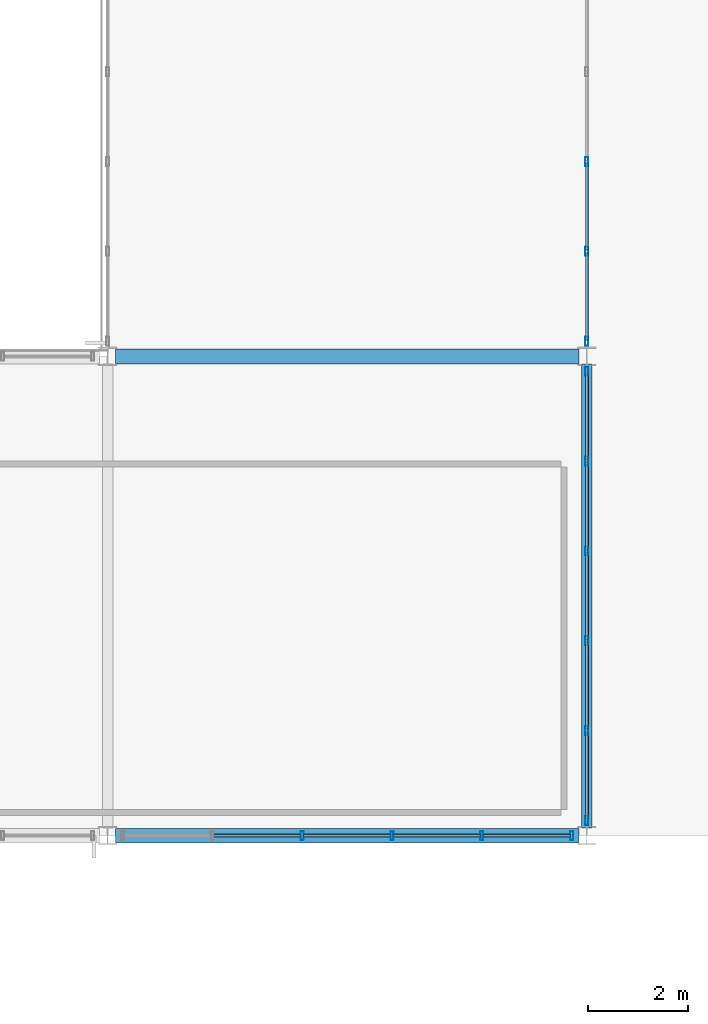
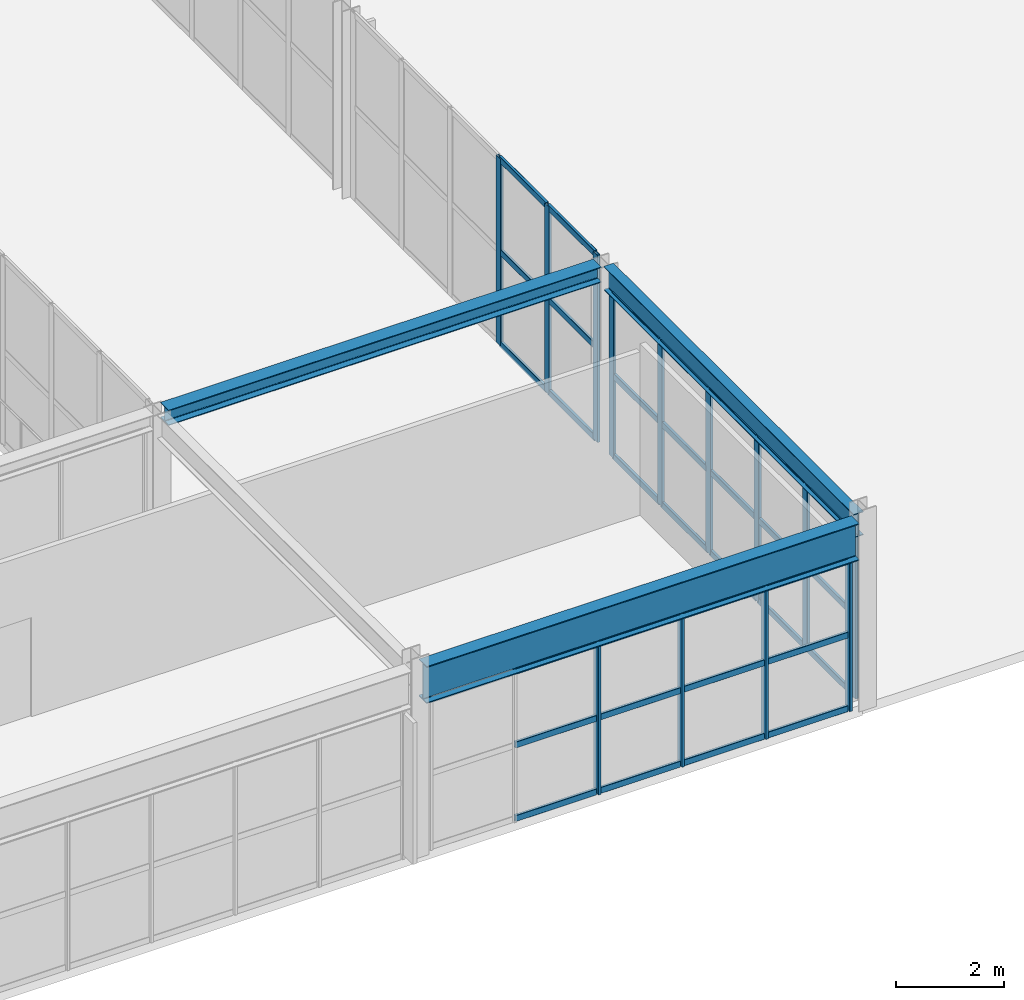
# One storey, part 126 of 170: 46 members, 3 beams, 3 elements without a shape of their own.
"""IFC4 building model written with IfcOpenShell, lengths in metres."""

import ifcopenshell
import ifcopenshell.guid

model = None  # the IFC model being written
_history = None  # IfcOwnerHistory: only IFC2X3 demands one
_inside = {}  # id of a spatial element -> (the spatial element, [elements in it])
_under = {}  # id of a project, library or spatial element -> (it, [spatial elements below it])
_declared = {}  # id of a project -> (the project, [libraries it declares])
_typed = {}  # id of a type object -> (the type object, [elements of that type])
_made_of = {}  # id of a material, layer set ... -> (it, [elements and type objects made of it])


def new_model(schema):
    """Start an empty IFC model of exactly this schema.

    Asked for "IFC4X3", IfcOpenShell would pick the latest addendum, in which some entities
    have other attributes; the version numbers below select the first issue.
    IFC2X3 requires an IfcOwnerHistory on every rooted entity: one is made here for all.
    """
    global model, _history
    if schema == "IFC4X3":
        model = ifcopenshell.file(schema_version=(4, 3, 0, 0))
    else:
        model = ifcopenshell.file(schema=schema)
    _inside.clear()
    _under.clear()
    _declared.clear()
    _typed.clear()
    _made_of.clear()
    _history = None
    if model.schema == "IFC2X3":
        org = make("IfcOrganization", Name="unknown")
        user = make(
            "IfcPersonAndOrganization",
            ThePerson=make("IfcPerson", FamilyName="unknown"),
            TheOrganization=org,
        )
        app = make(
            "IfcApplication",
            ApplicationDeveloper=org,
            Version="unknown",
            ApplicationFullName="unknown",
            ApplicationIdentifier="unknown",
        )
        _history = make(
            "IfcOwnerHistory",
            OwningUser=user,
            OwningApplication=app,
            ChangeAction="ADDED",
            CreationDate=0,
        )
    return model


def make(cls, **values):
    """One entity of the class cls with the attributes given. An attribute that is None is left unset."""
    return model.create_entity(
        cls, **{name: value for name, value in values.items() if value is not None}
    )


def rooted(cls, **values):
    """An entity with a GlobalId (a new one), such as an element, a storey or a relation."""
    return make(cls, GlobalId=ifcopenshell.guid.new(), OwnerHistory=_history, **values)


def si_unit(unit_type, name, prefix=None):
    """IfcSIUnit, for example si_unit("LENGTHUNIT", "METRE", prefix="MILLI")."""
    return make("IfcSIUnit", UnitType=unit_type, Prefix=prefix, Name=name)


def assignment(units):
    """IfcUnitAssignment: the units of a project."""
    return None if units is None else make("IfcUnitAssignment", Units=units)


def point(xyz):
    """IfcCartesianPoint."""
    return None if xyz is None else make("IfcCartesianPoint", Coordinates=xyz)


def direction(xyz):
    """IfcDirection."""
    return None if xyz is None else make("IfcDirection", DirectionRatios=xyz)


def frame(location, z_axis=None, x_axis=None):
    """IfcAxis2Placement3D, a coordinate frame: its origin and axes. An axis left out is left unset."""
    return make(
        "IfcAxis2Placement3D",
        Location=point(location),
        Axis=direction(z_axis),
        RefDirection=direction(x_axis),
    )


def frame_2d(location, x_axis=None):
    """IfcAxis2Placement2D, a coordinate frame in the plane: its origin and x axis."""
    return make(
        "IfcAxis2Placement2D", Location=point(location), RefDirection=direction(x_axis)
    )


def origin():
    """The frame at (0, 0, 0) with its axes left unset."""
    return frame((0.0, 0.0, 0.0))


def origin_2d():
    """The frame at (0, 0) in the plane with its x axis left unset."""
    return frame_2d((0.0, 0.0))


def place(relative_to, where):
    """IfcLocalPlacement: puts the frame where relative to a parent placement (None: the world)."""
    return make(
        "IfcLocalPlacement", PlacementRelTo=relative_to, RelativePlacement=where
    )


def context(
    kind, dimensions, precision=None, world=None, true_north=None, identifier=None
):
    """IfcGeometricRepresentationContext, for example the 3D "Model" context."""
    return make(
        "IfcGeometricRepresentationContext",
        ContextIdentifier=identifier,
        ContextType=kind,
        CoordinateSpaceDimension=dimensions,
        Precision=precision,
        WorldCoordinateSystem=world,
        TrueNorth=true_north,
    )


def subcontext(parent, identifier, kind, view, scale=None):
    """IfcGeometricRepresentationSubContext, for example "Body" below "Model"."""
    return make(
        "IfcGeometricRepresentationSubContext",
        ContextIdentifier=identifier,
        ContextType=kind,
        ParentContext=parent,
        TargetScale=scale,
        TargetView=view,
    )


def project(units=None, contexts=None):
    """IfcProject with its units and contexts."""
    return rooted(
        "IfcProject",
        Name="project",
        RepresentationContexts=contexts,
        UnitsInContext=assignment(units),
    )


def spatial(cls, under=None, at=None, **own):
    """A site, building, storey or space (cls), placed at a placement, below another one or the project."""
    s = rooted(cls, ObjectPlacement=at, **own)
    if under is not None:
        _under.setdefault(under.id(), (under, []))[1].append(s)
    return s


def profile(cls, at=None, kind="AREA", **sizes):
    """A parametric profile (cls). Its sizes go by their IFC names, for example OverallWidth=200.0."""
    return make(cls, ProfileType=kind, Position=at, **sizes)


def hollow_rectangle(**sizes):
    """IfcRectangleHollowProfileDef."""
    return profile("IfcRectangleHollowProfileDef", **sizes)


def i_section(**sizes):
    """IfcIShapeProfileDef."""
    return profile("IfcIShapeProfileDef", **sizes)


def extrude(swept, where, along, depth):
    """IfcExtrudedAreaSolid: the profile swept, set in the frame where, extruded along a direction by depth."""
    return make(
        "IfcExtrudedAreaSolid",
        SweptArea=swept,
        Position=where,
        ExtrudedDirection=direction(along),
        Depth=depth,
    )


def shape(context_of_items, identifier, shape_type, items):
    """IfcShapeRepresentation: the items that make up one representation, for example the "Body"."""
    return make(
        "IfcShapeRepresentation",
        ContextOfItems=context_of_items,
        RepresentationIdentifier=identifier,
        RepresentationType=shape_type,
        Items=items,
    )


def material(Name=None, Category=None):
    """IfcMaterial."""
    return make("IfcMaterial", Name=Name, Category=Category)


def material_profile(
    of_material, cross_section, Name=None, Category=None, Priority=None
):
    """IfcMaterialProfile: a cross section and its material."""
    return make(
        "IfcMaterialProfile",
        Name=Name,
        Material=of_material,
        Profile=cross_section,
        Priority=Priority,
        Category=Category,
    )


def profile_set(profiles, Name=None, composite=None):
    """IfcMaterialProfileSet."""
    return make(
        "IfcMaterialProfileSet",
        Name=Name,
        MaterialProfiles=profiles,
        CompositeProfile=composite,
    )


def made_of(thing, what):
    """Note that an element or type object is made of a material, layer set ...; save() writes the relation."""
    if what is not None:
        _made_of.setdefault(what.id(), (what, []))[1].append(thing)
    return thing


def type_object(cls, material=None, **own):
    """A type object (cls), such as IfcWallType, which elements share."""
    return made_of(rooted(cls, **own), material)


def element(
    cls,
    number,
    at=None,
    inside=None,
    cuts=None,
    type_object=None,
    material=None,
    context=None,
    identifier="Body",
    shape_type=None,
    held_by="IfcProductDefinitionShape",
    body=None,
    shapes=None,
    **own,
):
    """One element of the class cls, such as IfcWall. Its Tag is "e" and its number.

    at: its placement. inside: the storey or other place that contains it. cuts: it is an
    opening in that element (IfcRelVoidsElement). A single representation is given by context,
    identifier, shape_type and body (its items); several are given by shapes. held_by: the class
    of the entity that holds the representations. save() writes the other relations.
    """
    e = rooted(cls, Tag="e%d" % number, ObjectPlacement=at, **own)
    if body is not None:
        shapes = [shape(context, identifier, shape_type, body)]
    if shapes is not None:
        e.Representation = make(held_by, Representations=shapes)
    if inside is not None:
        _inside.setdefault(inside.id(), (inside, []))[1].append(e)
    if cuts is not None:
        rooted(
            "IfcRelVoidsElement", RelatingBuildingElement=cuts, RelatedOpeningElement=e
        )
    if type_object is not None:
        _typed.setdefault(type_object.id(), (type_object, []))[1].append(e)
    return made_of(e, material)


def aggregate(whole, parts):
    """IfcRelAggregates: a whole, such as a stair, and the parts it consists of."""
    return rooted("IfcRelAggregates", RelatingObject=whole, RelatedObjects=parts)


def save(model, path):
    """Write the relations noted so far, then the file.

    IfcRelAggregates (storeys below a building ...), IfcRelContainedInSpatialStructure (elements
    in a storey), IfcRelDefinesByType, IfcRelAssociatesMaterial and IfcRelDeclares: one each for
    every whole, place, type object, material and project.
    """
    for whole, parts in _under.values():
        aggregate(whole, parts)
    for where, things in _inside.values():
        rooted(
            "IfcRelContainedInSpatialStructure",
            RelatedElements=things,
            RelatingStructure=where,
        )
    for kind, things in _typed.values():
        rooted("IfcRelDefinesByType", RelatedObjects=things, RelatingType=kind)
    for what, things in _made_of.values():
        rooted("IfcRelAssociatesMaterial", RelatedObjects=things, RelatingMaterial=what)
    for by, libraries in _declared.values():
        rooted("IfcRelDeclares", RelatingContext=by, RelatedDefinitions=libraries)
    model.write(path)


model = new_model("IFC4")

# Units and contexts
model_context = context("Model", 3, precision=1e-05, world=origin(), true_north=direction((0.0, 1.0)))
body_context = subcontext(model_context, "Body", "Model", "MODEL_VIEW")
ifc_project = project(units=[si_unit("LENGTHUNIT", "METRE"), si_unit("AREAUNIT", "SQUARE_METRE"), si_unit("VOLUMEUNIT", "CUBIC_METRE"), si_unit("PLANEANGLEUNIT", "RADIAN"), si_unit("MASSUNIT", "GRAM", prefix="KILO")], contexts=[model_context])

# Site, building, storey
site_placement = place(None, origin())
site = spatial("IfcSite", under=ifc_project, at=site_placement, CompositionType="ELEMENT")
building_placement = place(site_placement, origin())
building = spatial("IfcBuilding", under=site, at=building_placement, Name="Coralgate Yard Interchange", CompositionType="ELEMENT")
storey_placement = place(building_placement, frame((0.0, 0.0, 6.0)))
storey = spatial("IfcBuildingStorey", under=building, at=storey_placement, Name="L01", CompositionType="ELEMENT", Elevation=6.0)

# Beams
ifc_material_1 = material(Name="Structural steel S355J2", Category="steel")
ifc_material_profile_1 = material_profile(ifc_material_1, i_section(OverallWidth=0.209228515625, OverallDepth=0.533203125, WebThickness=0.010009765625, FlangeThickness=0.015625, FilletRadius=0.0126953125, at=origin_2d()), Name="UB 533x210x92")
ifc_profile_set_1 = profile_set([ifc_material_profile_1], Name="Structural steel S355J2")
beam_type_1 = type_object("IfcBeamType", Name="BM-SB-1", PredefinedType="BEAM", material=ifc_profile_set_1)
beam_1_placement = place(storey_placement, frame((134.39990234375, 38.55419921875, 3.9833984375), z_axis=(0.0, 1.0, 0.0), x_axis=(-1.0, 0.0, 0.0)))
element("IfcBeam", 1, at=beam_1_placement, inside=storey, type_object=beam_type_1, Name="L01 primary grid girder X14 Y4-5", PredefinedType="BEAM", context=body_context, shape_type="SweptSolid", body=[
    extrude(i_section(OverallWidth=0.209228515625, OverallDepth=0.533203125, WebThickness=0.010009765625, FlangeThickness=0.015625, FilletRadius=0.0126953125, at=origin_2d()), origin(), (0.0, 0.0, 1.0), 9.291748046875),
])
ifc_material_profile_2 = material_profile(ifc_material_1, i_section(OverallWidth=0.29248046875, OverallDepth=0.8408203125, WebThickness=0.0146484375, FlangeThickness=0.021728515625, FilletRadius=0.017822265625, at=origin_2d()), Name="UB 838x292x194")
ifc_profile_set_2 = profile_set([ifc_material_profile_2], Name="Structural steel S355J2")
beam_type_2 = type_object("IfcBeamType", Name="BM-SG-2", PredefinedType="BEAM", material=ifc_profile_set_2)
beam_2_placement = place(storey_placement, frame((124.956298828125, 38.39990234375, 3.82958984375), z_axis=(1.0, 0.0, 0.0), x_axis=(0.0, 1.0, 0.0)))
element("IfcBeam", 2, at=beam_2_placement, inside=storey, type_object=beam_type_2, Name="L01 primary grid beam Y4 X13-14", PredefinedType="BEAM", context=body_context, shape_type="SweptSolid", body=[
    extrude(i_section(OverallWidth=0.29248046875, OverallDepth=0.8408203125, WebThickness=0.0146484375, FlangeThickness=0.021728515625, FilletRadius=0.017822265625, at=origin_2d()), origin(), (0.0, 0.0, 1.0), 9.287353515625),
])
ifc_material_profile_3 = material_profile(ifc_material_1, i_section(OverallWidth=0.300048828125, OverallDepth=0.35009765625, WebThickness=0.010009765625, FlangeThickness=0.017578125, FilletRadius=0.027099609375, at=origin_2d()), Name="HEA 360")
ifc_profile_set_3 = profile_set([ifc_material_profile_3], Name="Structural steel S355J2")
beam_type_3 = type_object("IfcBeamType", Name="BM-SP-1", PredefinedType="SPANDREL", material=ifc_profile_set_3)
beam_3_placement = place(storey_placement, frame((124.956298828125, 48.0, 4.074951171875), z_axis=(1.0, 0.0, 0.0), x_axis=(0.0, 1.0, 0.0)))
element("IfcBeam", 3, at=beam_3_placement, inside=storey, type_object=beam_type_3, Name="L01 primary grid beam Y5 X13-14", PredefinedType="SPANDREL", context=body_context, shape_type="SweptSolid", body=[
    extrude(i_section(OverallWidth=0.300048828125, OverallDepth=0.35009765625, WebThickness=0.010009765625, FlangeThickness=0.017578125, FilletRadius=0.027099609375, at=origin_2d()), origin(), (0.0, 0.0, 1.0), 9.287353515625),
])

# Curtain wall, members
ifc_material_2 = material(Name="Anodised coastal aluminium and solar-control low-E glass", Category="aluminium")
curtain_wall_type_1 = type_object("IfcCurtainWallType", Name="CW-CW-L01-A", PredefinedType="NOTDEFINED", material=ifc_material_2)
curtain_wall_1_placement = place(storey_placement, origin())
curtain_wall_1 = element("IfcCurtainWall", 4, at=curtain_wall_1_placement, inside=storey, type_object=curtain_wall_type_1, Name="L01 unitised curtain wall CW-L01-S-13-04", PredefinedType="NOTDEFINED")
ifc_material_3 = material(Name="Anodised coastal aluminium 6063-T6", Category="aluminium")
ifc_material_profile_4 = material_profile(ifc_material_3, hollow_rectangle(XDim=0.06005859375, YDim=0.179931640625, WallThickness=0.00390625, InnerFilletRadius=0.00390625, OuterFilletRadius=0.008056640625, at=origin_2d()), Name="ALU 60x180x4")
ifc_profile_set_4 = profile_set([ifc_material_profile_4], Name="Anodised coastal aluminium 6063-T6")
member_type_1 = type_object("IfcMemberType", Name="MB-MUL-180", PredefinedType="MULLION", material=ifc_profile_set_4)
member_1_placement = place(storey_placement, frame((134.10009765625, 38.39990234375, 0.0), z_axis=(0.0, 0.0, 1.0), x_axis=(1.0, 0.0, 0.0)))
member_1 = element("IfcMember", 5, at=member_1_placement, type_object=member_type_1, Name="CW-L01-S-13-04 vertical mullion 1", PredefinedType="MULLION", context=body_context, shape_type="SweptSolid", body=[
    extrude(hollow_rectangle(XDim=0.06005859375, YDim=0.179931640625, WallThickness=0.00390625, InnerFilletRadius=0.00390625, OuterFilletRadius=0.008056640625, at=origin_2d()), origin(), (0.0, 0.0, 1.0), 3.4091796875),
])
member_2_placement = place(storey_placement, frame((132.300048828125, 38.39990234375, 0.0), z_axis=(0.0, 0.0, 1.0), x_axis=(1.0, 0.0, 0.0)))
member_2 = element("IfcMember", 6, at=member_2_placement, type_object=member_type_1, Name="CW-L01-S-13-04 vertical mullion 2", PredefinedType="MULLION", context=body_context, shape_type="SweptSolid", body=[
    extrude(hollow_rectangle(XDim=0.06005859375, YDim=0.179931640625, WallThickness=0.00390625, InnerFilletRadius=0.00390625, OuterFilletRadius=0.008056640625, at=origin_2d()), origin(), (0.0, 0.0, 1.0), 3.4091796875),
])
member_3_placement = place(storey_placement, frame((130.5, 38.39990234375, 0.0), z_axis=(0.0, 0.0, 1.0), x_axis=(1.0, 0.0, 0.0)))
member_3 = element("IfcMember", 7, at=member_3_placement, type_object=member_type_1, Name="CW-L01-S-13-04 vertical mullion 3", PredefinedType="MULLION", context=body_context, shape_type="SweptSolid", body=[
    extrude(hollow_rectangle(XDim=0.06005859375, YDim=0.179931640625, WallThickness=0.00390625, InnerFilletRadius=0.00390625, OuterFilletRadius=0.008056640625, at=origin_2d()), origin(), (0.0, 0.0, 1.0), 3.4091796875),
])
member_4_placement = place(storey_placement, frame((128.699951171875, 38.39990234375, 0.0), z_axis=(0.0, 0.0, 1.0), x_axis=(1.0, 0.0, 0.0)))
member_4 = element("IfcMember", 8, at=member_4_placement, type_object=member_type_1, Name="CW-L01-S-13-04 vertical mullion 4", PredefinedType="MULLION", context=body_context, shape_type="SweptSolid", body=[
    extrude(hollow_rectangle(XDim=0.06005859375, YDim=0.179931640625, WallThickness=0.00390625, InnerFilletRadius=0.00390625, OuterFilletRadius=0.008056640625, at=origin_2d()), origin(), (0.0, 0.0, 1.0), 3.4091796875),
])

curtain_wall_type_2 = type_object("IfcCurtainWallType", Name="CW-CW-L01-B", PredefinedType="NOTDEFINED", material=ifc_material_2)
curtain_wall_2_placement = place(storey_placement, origin())
curtain_wall_2 = element("IfcCurtainWall", 9, at=curtain_wall_2_placement, inside=storey, type_object=curtain_wall_type_2, Name="L01 unitised curtain wall CW-L01-E-13-04", PredefinedType="NOTDEFINED")
member_5_placement = place(storey_placement, frame((134.39990234375, 47.699951171875, 0.0), z_axis=(0.0, 0.0, 1.0), x_axis=(1.0, 0.0, 0.0)))
member_5 = element("IfcMember", 10, at=member_5_placement, type_object=member_type_1, Name="CW-L01-E-13-04 vertical mullion 1", PredefinedType="MULLION", context=body_context, shape_type="SweptSolid", body=[
    extrude(hollow_rectangle(XDim=0.06005859375, YDim=0.179931640625, WallThickness=0.00390625, InnerFilletRadius=0.00390625, OuterFilletRadius=0.008056640625, at=origin_2d()), origin(), (0.0, 0.0, 1.0), 3.716796875),
])
member_6_placement = place(storey_placement, frame((134.39990234375, 45.89990234375, 0.0), z_axis=(0.0, 0.0, 1.0), x_axis=(1.0, 0.0, 0.0)))
member_6 = element("IfcMember", 11, at=member_6_placement, type_object=member_type_1, Name="CW-L01-E-13-04 vertical mullion 2", PredefinedType="MULLION", context=body_context, shape_type="SweptSolid", body=[
    extrude(hollow_rectangle(XDim=0.06005859375, YDim=0.179931640625, WallThickness=0.00390625, InnerFilletRadius=0.00390625, OuterFilletRadius=0.008056640625, at=origin_2d()), origin(), (0.0, 0.0, 1.0), 3.716796875),
])
member_7_placement = place(storey_placement, frame((134.39990234375, 44.10009765625, 0.0), z_axis=(0.0, 0.0, 1.0), x_axis=(1.0, 0.0, 0.0)))
member_7 = element("IfcMember", 12, at=member_7_placement, type_object=member_type_1, Name="CW-L01-E-13-04 vertical mullion 3", PredefinedType="MULLION", context=body_context, shape_type="SweptSolid", body=[
    extrude(hollow_rectangle(XDim=0.06005859375, YDim=0.179931640625, WallThickness=0.00390625, InnerFilletRadius=0.00390625, OuterFilletRadius=0.008056640625, at=origin_2d()), origin(), (0.0, 0.0, 1.0), 3.716796875),
])
member_8_placement = place(storey_placement, frame((134.39990234375, 42.300048828125, 0.0), z_axis=(0.0, 0.0, 1.0), x_axis=(1.0, 0.0, 0.0)))
member_8 = element("IfcMember", 13, at=member_8_placement, type_object=member_type_1, Name="CW-L01-E-13-04 vertical mullion 4", PredefinedType="MULLION", context=body_context, shape_type="SweptSolid", body=[
    extrude(hollow_rectangle(XDim=0.06005859375, YDim=0.179931640625, WallThickness=0.00390625, InnerFilletRadius=0.00390625, OuterFilletRadius=0.008056640625, at=origin_2d()), origin(), (0.0, 0.0, 1.0), 3.716796875),
])
member_9_placement = place(storey_placement, frame((134.39990234375, 40.5, 0.0), z_axis=(0.0, 0.0, 1.0), x_axis=(1.0, 0.0, 0.0)))
member_9 = element("IfcMember", 14, at=member_9_placement, type_object=member_type_1, Name="CW-L01-E-13-04 vertical mullion 5", PredefinedType="MULLION", context=body_context, shape_type="SweptSolid", body=[
    extrude(hollow_rectangle(XDim=0.06005859375, YDim=0.179931640625, WallThickness=0.00390625, InnerFilletRadius=0.00390625, OuterFilletRadius=0.008056640625, at=origin_2d()), origin(), (0.0, 0.0, 1.0), 3.716796875),
])
member_10_placement = place(storey_placement, frame((134.39990234375, 38.699951171875, 0.0), z_axis=(0.0, 0.0, 1.0), x_axis=(1.0, 0.0, 0.0)))
member_10 = element("IfcMember", 15, at=member_10_placement, type_object=member_type_1, Name="CW-L01-E-13-04 vertical mullion 6", PredefinedType="MULLION", context=body_context, shape_type="SweptSolid", body=[
    extrude(hollow_rectangle(XDim=0.06005859375, YDim=0.179931640625, WallThickness=0.00390625, InnerFilletRadius=0.00390625, OuterFilletRadius=0.008056640625, at=origin_2d()), origin(), (0.0, 0.0, 1.0), 3.716796875),
])

curtain_wall_3_placement = place(storey_placement, origin())
curtain_wall_3 = element("IfcCurtainWall", 16, at=curtain_wall_3_placement, inside=storey, type_object=curtain_wall_type_2, Name="L01 unitised curtain wall CW-L01-E-13-05", PredefinedType="NOTDEFINED")
member_11_placement = place(storey_placement, frame((134.39990234375, 51.89990234375, 0.0), z_axis=(0.0, 0.0, 1.0), x_axis=(1.0, 0.0, 0.0)))
member_11 = element("IfcMember", 17, at=member_11_placement, type_object=member_type_1, Name="CW-L01-E-13-05 vertical mullion 4", PredefinedType="MULLION", context=body_context, shape_type="SweptSolid", body=[
    extrude(hollow_rectangle(XDim=0.06005859375, YDim=0.179931640625, WallThickness=0.00390625, InnerFilletRadius=0.00390625, OuterFilletRadius=0.008056640625, at=origin_2d()), origin(), (0.0, 0.0, 1.0), 4.25),
])
member_12_placement = place(storey_placement, frame((134.39990234375, 50.10009765625, 0.0), z_axis=(0.0, 0.0, 1.0), x_axis=(1.0, 0.0, 0.0)))
member_12 = element("IfcMember", 18, at=member_12_placement, type_object=member_type_1, Name="CW-L01-E-13-05 vertical mullion 5", PredefinedType="MULLION", context=body_context, shape_type="SweptSolid", body=[
    extrude(hollow_rectangle(XDim=0.06005859375, YDim=0.179931640625, WallThickness=0.00390625, InnerFilletRadius=0.00390625, OuterFilletRadius=0.008056640625, at=origin_2d()), origin(), (0.0, 0.0, 1.0), 4.25),
])
member_13_placement = place(storey_placement, frame((134.39990234375, 48.300048828125, 0.0), z_axis=(0.0, 0.0, 1.0), x_axis=(1.0, 0.0, 0.0)))
member_13 = element("IfcMember", 19, at=member_13_placement, type_object=member_type_1, Name="CW-L01-E-13-05 vertical mullion 6", PredefinedType="MULLION", context=body_context, shape_type="SweptSolid", body=[
    extrude(hollow_rectangle(XDim=0.06005859375, YDim=0.179931640625, WallThickness=0.00390625, InnerFilletRadius=0.00390625, OuterFilletRadius=0.008056640625, at=origin_2d()), origin(), (0.0, 0.0, 1.0), 4.25),
])

# Member
ifc_material_profile_5 = material_profile(ifc_material_3, hollow_rectangle(XDim=0.06005859375, YDim=0.139892578125, WallThickness=0.00341796875, InnerFilletRadius=0.00341796875, OuterFilletRadius=0.007080078125, at=origin_2d()), Name="ALU 60x140x3.5")
ifc_profile_set_5 = profile_set([ifc_material_profile_5], Name="Anodised coastal aluminium 6063-T6")
member_type_2 = type_object("IfcMemberType", Name="MB-TRN-140", PredefinedType="USERDEFINED", material=ifc_profile_set_5)
member_14_placement = place(storey_placement, frame((134.070068359375, 38.39990234375, 0.034912109375), z_axis=(-1.0, 0.0, 0.0), x_axis=(0.0, -1.0, 0.0)))
member_14 = element("IfcMember", 20, at=member_14_placement, type_object=member_type_2, Name="CW-L01-S-13-04 horizontal transom 1-1", ObjectType="TRANSOM", PredefinedType="USERDEFINED", context=body_context, shape_type="SweptSolid", body=[
    extrude(hollow_rectangle(XDim=0.06005859375, YDim=0.139892578125, WallThickness=0.00341796875, InnerFilletRadius=0.00341796875, OuterFilletRadius=0.007080078125, at=origin_2d()), origin(), (0.0, 0.0, 1.0), 1.739990234375),
])

member_15_placement = place(storey_placement, frame((134.070068359375, 38.39990234375, 1.70458984375), z_axis=(-1.0, 0.0, 0.0), x_axis=(0.0, -1.0, 0.0)))
member_15 = element("IfcMember", 21, at=member_15_placement, type_object=member_type_2, Name="CW-L01-S-13-04 horizontal transom 1-2", ObjectType="TRANSOM", PredefinedType="USERDEFINED", context=body_context, shape_type="SweptSolid", body=[
    extrude(hollow_rectangle(XDim=0.06005859375, YDim=0.139892578125, WallThickness=0.00341796875, InnerFilletRadius=0.00341796875, OuterFilletRadius=0.007080078125, at=origin_2d()), origin(), (0.0, 0.0, 1.0), 1.739990234375),
])

member_16_placement = place(storey_placement, frame((134.070068359375, 38.39990234375, 3.374267578125), z_axis=(-1.0, 0.0, 0.0), x_axis=(0.0, -1.0, 0.0)))
member_16 = element("IfcMember", 22, at=member_16_placement, type_object=member_type_2, Name="CW-L01-S-13-04 horizontal transom 1-3", ObjectType="TRANSOM", PredefinedType="USERDEFINED", context=body_context, shape_type="SweptSolid", body=[
    extrude(hollow_rectangle(XDim=0.06005859375, YDim=0.139892578125, WallThickness=0.00341796875, InnerFilletRadius=0.00341796875, OuterFilletRadius=0.007080078125, at=origin_2d()), origin(), (0.0, 0.0, 1.0), 1.739990234375),
])

member_17_placement = place(storey_placement, frame((132.27001953125, 38.39990234375, 0.034912109375), z_axis=(-1.0, 0.0, 0.0), x_axis=(0.0, -1.0, 0.0)))
member_17 = element("IfcMember", 23, at=member_17_placement, type_object=member_type_2, Name="CW-L01-S-13-04 horizontal transom 2-1", ObjectType="TRANSOM", PredefinedType="USERDEFINED", context=body_context, shape_type="SweptSolid", body=[
    extrude(hollow_rectangle(XDim=0.06005859375, YDim=0.139892578125, WallThickness=0.00341796875, InnerFilletRadius=0.00341796875, OuterFilletRadius=0.007080078125, at=origin_2d()), origin(), (0.0, 0.0, 1.0), 1.739990234375),
])

member_18_placement = place(storey_placement, frame((132.27001953125, 38.39990234375, 1.70458984375), z_axis=(-1.0, 0.0, 0.0), x_axis=(0.0, -1.0, 0.0)))
member_18 = element("IfcMember", 24, at=member_18_placement, type_object=member_type_2, Name="CW-L01-S-13-04 horizontal transom 2-2", ObjectType="TRANSOM", PredefinedType="USERDEFINED", context=body_context, shape_type="SweptSolid", body=[
    extrude(hollow_rectangle(XDim=0.06005859375, YDim=0.139892578125, WallThickness=0.00341796875, InnerFilletRadius=0.00341796875, OuterFilletRadius=0.007080078125, at=origin_2d()), origin(), (0.0, 0.0, 1.0), 1.739990234375),
])

member_19_placement = place(storey_placement, frame((132.27001953125, 38.39990234375, 3.374267578125), z_axis=(-1.0, 0.0, 0.0), x_axis=(0.0, -1.0, 0.0)))
member_19 = element("IfcMember", 25, at=member_19_placement, type_object=member_type_2, Name="CW-L01-S-13-04 horizontal transom 2-3", ObjectType="TRANSOM", PredefinedType="USERDEFINED", context=body_context, shape_type="SweptSolid", body=[
    extrude(hollow_rectangle(XDim=0.06005859375, YDim=0.139892578125, WallThickness=0.00341796875, InnerFilletRadius=0.00341796875, OuterFilletRadius=0.007080078125, at=origin_2d()), origin(), (0.0, 0.0, 1.0), 1.739990234375),
])

member_20_placement = place(storey_placement, frame((130.469970703125, 38.39990234375, 0.034912109375), z_axis=(-1.0, 0.0, 0.0), x_axis=(0.0, -1.0, 0.0)))
member_20 = element("IfcMember", 26, at=member_20_placement, type_object=member_type_2, Name="CW-L01-S-13-04 horizontal transom 3-1", ObjectType="TRANSOM", PredefinedType="USERDEFINED", context=body_context, shape_type="SweptSolid", body=[
    extrude(hollow_rectangle(XDim=0.06005859375, YDim=0.139892578125, WallThickness=0.00341796875, InnerFilletRadius=0.00341796875, OuterFilletRadius=0.007080078125, at=origin_2d()), origin(), (0.0, 0.0, 1.0), 1.739990234375),
])

member_21_placement = place(storey_placement, frame((130.469970703125, 38.39990234375, 1.70458984375), z_axis=(-1.0, 0.0, 0.0), x_axis=(0.0, -1.0, 0.0)))
member_21 = element("IfcMember", 27, at=member_21_placement, type_object=member_type_2, Name="CW-L01-S-13-04 horizontal transom 3-2", ObjectType="TRANSOM", PredefinedType="USERDEFINED", context=body_context, shape_type="SweptSolid", body=[
    extrude(hollow_rectangle(XDim=0.06005859375, YDim=0.139892578125, WallThickness=0.00341796875, InnerFilletRadius=0.00341796875, OuterFilletRadius=0.007080078125, at=origin_2d()), origin(), (0.0, 0.0, 1.0), 1.739990234375),
])

member_22_placement = place(storey_placement, frame((130.469970703125, 38.39990234375, 3.374267578125), z_axis=(-1.0, 0.0, 0.0), x_axis=(0.0, -1.0, 0.0)))
member_22 = element("IfcMember", 28, at=member_22_placement, type_object=member_type_2, Name="CW-L01-S-13-04 horizontal transom 3-3", ObjectType="TRANSOM", PredefinedType="USERDEFINED", context=body_context, shape_type="SweptSolid", body=[
    extrude(hollow_rectangle(XDim=0.06005859375, YDim=0.139892578125, WallThickness=0.00341796875, InnerFilletRadius=0.00341796875, OuterFilletRadius=0.007080078125, at=origin_2d()), origin(), (0.0, 0.0, 1.0), 1.739990234375),
])

member_23_placement = place(storey_placement, frame((128.669921875, 38.39990234375, 0.034912109375), z_axis=(-1.0, 0.0, 0.0), x_axis=(0.0, -1.0, 0.0)))
member_23 = element("IfcMember", 29, at=member_23_placement, type_object=member_type_2, Name="CW-L01-S-13-04 horizontal transom 4-1", ObjectType="TRANSOM", PredefinedType="USERDEFINED", context=body_context, shape_type="SweptSolid", body=[
    extrude(hollow_rectangle(XDim=0.06005859375, YDim=0.139892578125, WallThickness=0.00341796875, InnerFilletRadius=0.00341796875, OuterFilletRadius=0.007080078125, at=origin_2d()), origin(), (0.0, 0.0, 1.0), 1.739990234375),
])

member_24_placement = place(storey_placement, frame((128.669921875, 38.39990234375, 1.70458984375), z_axis=(-1.0, 0.0, 0.0), x_axis=(0.0, -1.0, 0.0)))
member_24 = element("IfcMember", 30, at=member_24_placement, type_object=member_type_2, Name="CW-L01-S-13-04 horizontal transom 4-2", ObjectType="TRANSOM", PredefinedType="USERDEFINED", context=body_context, shape_type="SweptSolid", body=[
    extrude(hollow_rectangle(XDim=0.06005859375, YDim=0.139892578125, WallThickness=0.00341796875, InnerFilletRadius=0.00341796875, OuterFilletRadius=0.007080078125, at=origin_2d()), origin(), (0.0, 0.0, 1.0), 1.739990234375),
])

member_25_placement = place(storey_placement, frame((128.669921875, 38.39990234375, 3.374267578125), z_axis=(-1.0, 0.0, 0.0), x_axis=(0.0, -1.0, 0.0)))
member_25 = element("IfcMember", 31, at=member_25_placement, type_object=member_type_2, Name="CW-L01-S-13-04 horizontal transom 4-3", ObjectType="TRANSOM", PredefinedType="USERDEFINED", context=body_context, shape_type="SweptSolid", body=[
    extrude(hollow_rectangle(XDim=0.06005859375, YDim=0.139892578125, WallThickness=0.00341796875, InnerFilletRadius=0.00341796875, OuterFilletRadius=0.007080078125, at=origin_2d()), origin(), (0.0, 0.0, 1.0), 1.739990234375),
])

aggregate(curtain_wall_1, [member_1, member_2, member_3, member_4, member_14, member_15, member_16, member_17, member_18, member_19, member_20, member_21, member_22, member_23, member_24, member_25])

member_26_placement = place(storey_placement, frame((134.39990234375, 47.669921875, 0.034912109375), z_axis=(0.0, -1.0, 0.0), x_axis=(1.0, 0.0, 0.0)))
member_26 = element("IfcMember", 32, at=member_26_placement, type_object=member_type_2, Name="CW-L01-E-13-04 horizontal transom 1-1", ObjectType="TRANSOM", PredefinedType="USERDEFINED", context=body_context, shape_type="SweptSolid", body=[
    extrude(hollow_rectangle(XDim=0.06005859375, YDim=0.139892578125, WallThickness=0.00341796875, InnerFilletRadius=0.00341796875, OuterFilletRadius=0.007080078125, at=origin_2d()), origin(), (0.0, 0.0, 1.0), 1.739990234375),
])

member_27_placement = place(storey_placement, frame((134.39990234375, 47.669921875, 1.8583984375), z_axis=(0.0, -1.0, 0.0), x_axis=(1.0, 0.0, 0.0)))
member_27 = element("IfcMember", 33, at=member_27_placement, type_object=member_type_2, Name="CW-L01-E-13-04 horizontal transom 1-2", ObjectType="TRANSOM", PredefinedType="USERDEFINED", context=body_context, shape_type="SweptSolid", body=[
    extrude(hollow_rectangle(XDim=0.06005859375, YDim=0.139892578125, WallThickness=0.00341796875, InnerFilletRadius=0.00341796875, OuterFilletRadius=0.007080078125, at=origin_2d()), origin(), (0.0, 0.0, 1.0), 1.739990234375),
])

member_28_placement = place(storey_placement, frame((134.39990234375, 47.669921875, 3.681884765625), z_axis=(0.0, -1.0, 0.0), x_axis=(1.0, 0.0, 0.0)))
member_28 = element("IfcMember", 34, at=member_28_placement, type_object=member_type_2, Name="CW-L01-E-13-04 horizontal transom 1-3", ObjectType="TRANSOM", PredefinedType="USERDEFINED", context=body_context, shape_type="SweptSolid", body=[
    extrude(hollow_rectangle(XDim=0.06005859375, YDim=0.139892578125, WallThickness=0.00341796875, InnerFilletRadius=0.00341796875, OuterFilletRadius=0.007080078125, at=origin_2d()), origin(), (0.0, 0.0, 1.0), 1.739990234375),
])

member_29_placement = place(storey_placement, frame((134.39990234375, 45.8701171875, 0.034912109375), z_axis=(0.0, -1.0, 0.0), x_axis=(1.0, 0.0, 0.0)))
member_29 = element("IfcMember", 35, at=member_29_placement, type_object=member_type_2, Name="CW-L01-E-13-04 horizontal transom 2-1", ObjectType="TRANSOM", PredefinedType="USERDEFINED", context=body_context, shape_type="SweptSolid", body=[
    extrude(hollow_rectangle(XDim=0.06005859375, YDim=0.139892578125, WallThickness=0.00341796875, InnerFilletRadius=0.00341796875, OuterFilletRadius=0.007080078125, at=origin_2d()), origin(), (0.0, 0.0, 1.0), 1.740234375),
])

member_30_placement = place(storey_placement, frame((134.39990234375, 45.8701171875, 1.8583984375), z_axis=(0.0, -1.0, 0.0), x_axis=(1.0, 0.0, 0.0)))
member_30 = element("IfcMember", 36, at=member_30_placement, type_object=member_type_2, Name="CW-L01-E-13-04 horizontal transom 2-2", ObjectType="TRANSOM", PredefinedType="USERDEFINED", context=body_context, shape_type="SweptSolid", body=[
    extrude(hollow_rectangle(XDim=0.06005859375, YDim=0.139892578125, WallThickness=0.00341796875, InnerFilletRadius=0.00341796875, OuterFilletRadius=0.007080078125, at=origin_2d()), origin(), (0.0, 0.0, 1.0), 1.740234375),
])

member_31_placement = place(storey_placement, frame((134.39990234375, 45.8701171875, 3.681884765625), z_axis=(0.0, -1.0, 0.0), x_axis=(1.0, 0.0, 0.0)))
member_31 = element("IfcMember", 37, at=member_31_placement, type_object=member_type_2, Name="CW-L01-E-13-04 horizontal transom 2-3", ObjectType="TRANSOM", PredefinedType="USERDEFINED", context=body_context, shape_type="SweptSolid", body=[
    extrude(hollow_rectangle(XDim=0.06005859375, YDim=0.139892578125, WallThickness=0.00341796875, InnerFilletRadius=0.00341796875, OuterFilletRadius=0.007080078125, at=origin_2d()), origin(), (0.0, 0.0, 1.0), 1.740234375),
])

member_32_placement = place(storey_placement, frame((134.39990234375, 44.070068359375, 0.034912109375), z_axis=(0.0, -1.0, 0.0), x_axis=(1.0, 0.0, 0.0)))
member_32 = element("IfcMember", 38, at=member_32_placement, type_object=member_type_2, Name="CW-L01-E-13-04 horizontal transom 3-1", ObjectType="TRANSOM", PredefinedType="USERDEFINED", context=body_context, shape_type="SweptSolid", body=[
    extrude(hollow_rectangle(XDim=0.06005859375, YDim=0.139892578125, WallThickness=0.00341796875, InnerFilletRadius=0.00341796875, OuterFilletRadius=0.007080078125, at=origin_2d()), origin(), (0.0, 0.0, 1.0), 1.739990234375),
])

member_33_placement = place(storey_placement, frame((134.39990234375, 44.070068359375, 1.8583984375), z_axis=(0.0, -1.0, 0.0), x_axis=(1.0, 0.0, 0.0)))
member_33 = element("IfcMember", 39, at=member_33_placement, type_object=member_type_2, Name="CW-L01-E-13-04 horizontal transom 3-2", ObjectType="TRANSOM", PredefinedType="USERDEFINED", context=body_context, shape_type="SweptSolid", body=[
    extrude(hollow_rectangle(XDim=0.06005859375, YDim=0.139892578125, WallThickness=0.00341796875, InnerFilletRadius=0.00341796875, OuterFilletRadius=0.007080078125, at=origin_2d()), origin(), (0.0, 0.0, 1.0), 1.739990234375),
])

member_34_placement = place(storey_placement, frame((134.39990234375, 44.070068359375, 3.681884765625), z_axis=(0.0, -1.0, 0.0), x_axis=(1.0, 0.0, 0.0)))
member_34 = element("IfcMember", 40, at=member_34_placement, type_object=member_type_2, Name="CW-L01-E-13-04 horizontal transom 3-3", ObjectType="TRANSOM", PredefinedType="USERDEFINED", context=body_context, shape_type="SweptSolid", body=[
    extrude(hollow_rectangle(XDim=0.06005859375, YDim=0.139892578125, WallThickness=0.00341796875, InnerFilletRadius=0.00341796875, OuterFilletRadius=0.007080078125, at=origin_2d()), origin(), (0.0, 0.0, 1.0), 1.739990234375),
])

member_35_placement = place(storey_placement, frame((134.39990234375, 42.27001953125, 0.034912109375), z_axis=(0.0, -1.0, 0.0), x_axis=(1.0, 0.0, 0.0)))
member_35 = element("IfcMember", 41, at=member_35_placement, type_object=member_type_2, Name="CW-L01-E-13-04 horizontal transom 4-1", ObjectType="TRANSOM", PredefinedType="USERDEFINED", context=body_context, shape_type="SweptSolid", body=[
    extrude(hollow_rectangle(XDim=0.06005859375, YDim=0.139892578125, WallThickness=0.00341796875, InnerFilletRadius=0.00341796875, OuterFilletRadius=0.007080078125, at=origin_2d()), origin(), (0.0, 0.0, 1.0), 1.739990234375),
])

member_36_placement = place(storey_placement, frame((134.39990234375, 42.27001953125, 1.8583984375), z_axis=(0.0, -1.0, 0.0), x_axis=(1.0, 0.0, 0.0)))
member_36 = element("IfcMember", 42, at=member_36_placement, type_object=member_type_2, Name="CW-L01-E-13-04 horizontal transom 4-2", ObjectType="TRANSOM", PredefinedType="USERDEFINED", context=body_context, shape_type="SweptSolid", body=[
    extrude(hollow_rectangle(XDim=0.06005859375, YDim=0.139892578125, WallThickness=0.00341796875, InnerFilletRadius=0.00341796875, OuterFilletRadius=0.007080078125, at=origin_2d()), origin(), (0.0, 0.0, 1.0), 1.739990234375),
])

member_37_placement = place(storey_placement, frame((134.39990234375, 42.27001953125, 3.681884765625), z_axis=(0.0, -1.0, 0.0), x_axis=(1.0, 0.0, 0.0)))
member_37 = element("IfcMember", 43, at=member_37_placement, type_object=member_type_2, Name="CW-L01-E-13-04 horizontal transom 4-3", ObjectType="TRANSOM", PredefinedType="USERDEFINED", context=body_context, shape_type="SweptSolid", body=[
    extrude(hollow_rectangle(XDim=0.06005859375, YDim=0.139892578125, WallThickness=0.00341796875, InnerFilletRadius=0.00341796875, OuterFilletRadius=0.007080078125, at=origin_2d()), origin(), (0.0, 0.0, 1.0), 1.739990234375),
])

member_38_placement = place(storey_placement, frame((134.39990234375, 40.469970703125, 0.034912109375), z_axis=(0.0, -1.0, 0.0), x_axis=(1.0, 0.0, 0.0)))
member_38 = element("IfcMember", 44, at=member_38_placement, type_object=member_type_2, Name="CW-L01-E-13-04 horizontal transom 5-1", ObjectType="TRANSOM", PredefinedType="USERDEFINED", context=body_context, shape_type="SweptSolid", body=[
    extrude(hollow_rectangle(XDim=0.06005859375, YDim=0.139892578125, WallThickness=0.00341796875, InnerFilletRadius=0.00341796875, OuterFilletRadius=0.007080078125, at=origin_2d()), origin(), (0.0, 0.0, 1.0), 1.739990234375),
])

member_39_placement = place(storey_placement, frame((134.39990234375, 40.469970703125, 1.8583984375), z_axis=(0.0, -1.0, 0.0), x_axis=(1.0, 0.0, 0.0)))
member_39 = element("IfcMember", 45, at=member_39_placement, type_object=member_type_2, Name="CW-L01-E-13-04 horizontal transom 5-2", ObjectType="TRANSOM", PredefinedType="USERDEFINED", context=body_context, shape_type="SweptSolid", body=[
    extrude(hollow_rectangle(XDim=0.06005859375, YDim=0.139892578125, WallThickness=0.00341796875, InnerFilletRadius=0.00341796875, OuterFilletRadius=0.007080078125, at=origin_2d()), origin(), (0.0, 0.0, 1.0), 1.739990234375),
])

member_40_placement = place(storey_placement, frame((134.39990234375, 40.469970703125, 3.681884765625), z_axis=(0.0, -1.0, 0.0), x_axis=(1.0, 0.0, 0.0)))
member_40 = element("IfcMember", 46, at=member_40_placement, type_object=member_type_2, Name="CW-L01-E-13-04 horizontal transom 5-3", ObjectType="TRANSOM", PredefinedType="USERDEFINED", context=body_context, shape_type="SweptSolid", body=[
    extrude(hollow_rectangle(XDim=0.06005859375, YDim=0.139892578125, WallThickness=0.00341796875, InnerFilletRadius=0.00341796875, OuterFilletRadius=0.007080078125, at=origin_2d()), origin(), (0.0, 0.0, 1.0), 1.739990234375),
])

aggregate(curtain_wall_2, [member_5, member_6, member_7, member_8, member_9, member_10, member_26, member_27, member_28, member_29, member_30, member_31, member_32, member_33, member_34, member_35, member_36, member_37, member_38, member_39, member_40])

member_41_placement = place(storey_placement, frame((134.39990234375, 51.8701171875, 0.034912109375), z_axis=(0.0, -1.0, 0.0), x_axis=(1.0, 0.0, 0.0)))
member_41 = element("IfcMember", 47, at=member_41_placement, type_object=member_type_2, Name="CW-L01-E-13-05 horizontal transom 4-1", ObjectType="TRANSOM", PredefinedType="USERDEFINED", context=body_context, shape_type="SweptSolid", body=[
    extrude(hollow_rectangle(XDim=0.06005859375, YDim=0.139892578125, WallThickness=0.00341796875, InnerFilletRadius=0.00341796875, OuterFilletRadius=0.007080078125, at=origin_2d()), origin(), (0.0, 0.0, 1.0), 1.740234375),
])

member_42_placement = place(storey_placement, frame((134.39990234375, 51.8701171875, 2.125), z_axis=(0.0, -1.0, 0.0), x_axis=(1.0, 0.0, 0.0)))
member_42 = element("IfcMember", 48, at=member_42_placement, type_object=member_type_2, Name="CW-L01-E-13-05 horizontal transom 4-2", ObjectType="TRANSOM", PredefinedType="USERDEFINED", context=body_context, shape_type="SweptSolid", body=[
    extrude(hollow_rectangle(XDim=0.06005859375, YDim=0.139892578125, WallThickness=0.00341796875, InnerFilletRadius=0.00341796875, OuterFilletRadius=0.007080078125, at=origin_2d()), origin(), (0.0, 0.0, 1.0), 1.740234375),
])

member_43_placement = place(storey_placement, frame((134.39990234375, 51.8701171875, 4.215087890625), z_axis=(0.0, -1.0, 0.0), x_axis=(1.0, 0.0, 0.0)))
member_43 = element("IfcMember", 49, at=member_43_placement, type_object=member_type_2, Name="CW-L01-E-13-05 horizontal transom 4-3", ObjectType="TRANSOM", PredefinedType="USERDEFINED", context=body_context, shape_type="SweptSolid", body=[
    extrude(hollow_rectangle(XDim=0.06005859375, YDim=0.139892578125, WallThickness=0.00341796875, InnerFilletRadius=0.00341796875, OuterFilletRadius=0.007080078125, at=origin_2d()), origin(), (0.0, 0.0, 1.0), 1.740234375),
])

member_44_placement = place(storey_placement, frame((134.39990234375, 50.070068359375, 0.034912109375), z_axis=(0.0, -1.0, 0.0), x_axis=(1.0, 0.0, 0.0)))
member_44 = element("IfcMember", 50, at=member_44_placement, type_object=member_type_2, Name="CW-L01-E-13-05 horizontal transom 5-1", ObjectType="TRANSOM", PredefinedType="USERDEFINED", context=body_context, shape_type="SweptSolid", body=[
    extrude(hollow_rectangle(XDim=0.06005859375, YDim=0.139892578125, WallThickness=0.00341796875, InnerFilletRadius=0.00341796875, OuterFilletRadius=0.007080078125, at=origin_2d()), origin(), (0.0, 0.0, 1.0), 1.739990234375),
])

member_45_placement = place(storey_placement, frame((134.39990234375, 50.070068359375, 2.125), z_axis=(0.0, -1.0, 0.0), x_axis=(1.0, 0.0, 0.0)))
member_45 = element("IfcMember", 51, at=member_45_placement, type_object=member_type_2, Name="CW-L01-E-13-05 horizontal transom 5-2", ObjectType="TRANSOM", PredefinedType="USERDEFINED", context=body_context, shape_type="SweptSolid", body=[
    extrude(hollow_rectangle(XDim=0.06005859375, YDim=0.139892578125, WallThickness=0.00341796875, InnerFilletRadius=0.00341796875, OuterFilletRadius=0.007080078125, at=origin_2d()), origin(), (0.0, 0.0, 1.0), 1.739990234375),
])

member_46_placement = place(storey_placement, frame((134.39990234375, 50.070068359375, 4.215087890625), z_axis=(0.0, -1.0, 0.0), x_axis=(1.0, 0.0, 0.0)))
member_46 = element("IfcMember", 52, at=member_46_placement, type_object=member_type_2, Name="CW-L01-E-13-05 horizontal transom 5-3", ObjectType="TRANSOM", PredefinedType="USERDEFINED", context=body_context, shape_type="SweptSolid", body=[
    extrude(hollow_rectangle(XDim=0.06005859375, YDim=0.139892578125, WallThickness=0.00341796875, InnerFilletRadius=0.00341796875, OuterFilletRadius=0.007080078125, at=origin_2d()), origin(), (0.0, 0.0, 1.0), 1.739990234375),
])

aggregate(curtain_wall_3, [member_11, member_12, member_13, member_41, member_42, member_43, member_44, member_45, member_46])

save(model, "model.ifc")
